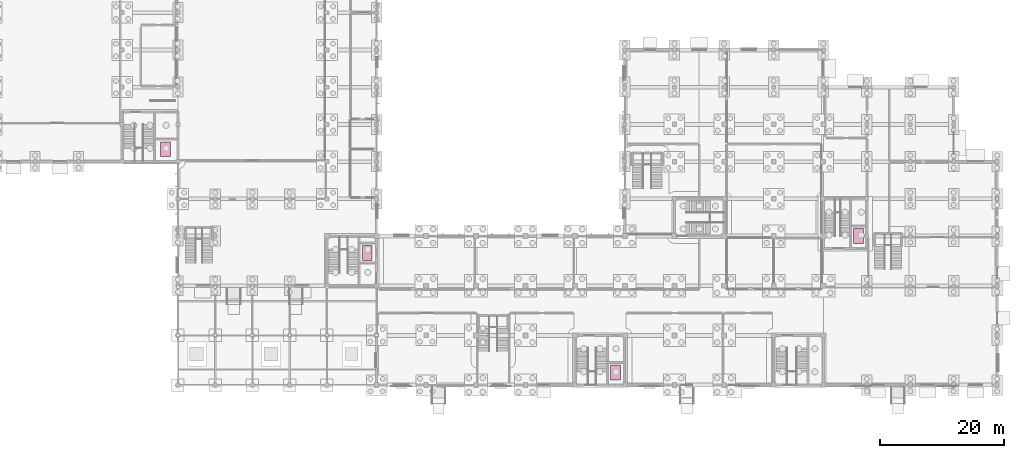
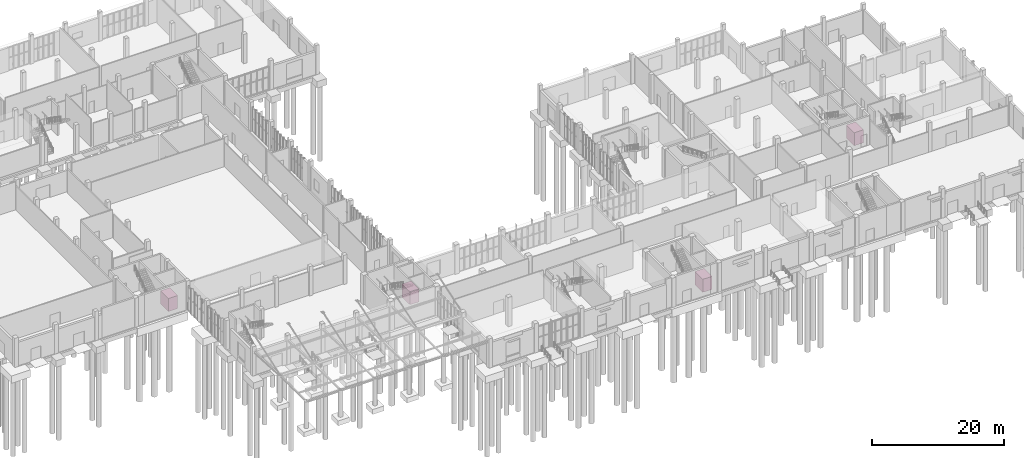
# One storey, part 69 of 69: 4 transport elements.
"""IFC4 building model written with IfcOpenShell, lengths in metres."""

from ifc_helpers import new_model, si_unit, direction, frame, origin, origin_2d, place, context, subcontext, project, spatial, rectangle, extrude, material, type_object, element, save


model = new_model("IFC4")

# Units and contexts
model_context = context("Model", 3, precision=1e-05, world=origin(), true_north=direction((0.0, 1.0)))
body_context = subcontext(model_context, "Body", "Model", "MODEL_VIEW")
ifc_project = project(units=[si_unit("LENGTHUNIT", "METRE"), si_unit("AREAUNIT", "SQUARE_METRE"), si_unit("VOLUMEUNIT", "CUBIC_METRE"), si_unit("PLANEANGLEUNIT", "RADIAN"), si_unit("MASSUNIT", "GRAM", prefix="KILO")], contexts=[model_context])

# Site, building, storey
site_placement = place(None, origin())
site = spatial("IfcSite", under=ifc_project, at=site_placement, CompositionType="ELEMENT")
building_placement = place(site_placement, origin())
building = spatial("IfcBuilding", under=site, at=building_placement, Name="Solvane Community Centre", CompositionType="ELEMENT")
storey_placement = place(building_placement, origin())
storey = spatial("IfcBuildingStorey", under=building, at=storey_placement, Name="L00", CompositionType="ELEMENT", Elevation=0.0)

# Transport elements
ifc_material = material(Name="Anodised bronze aluminium AW-6063 T6", Category="aluminium")
transport_element_type = type_object("IfcTransportElementType", Name="Stretcher Passenger Lift 1600x2400", PredefinedType="ELEVATOR", material=ifc_material)
for number, where, z_axis, x_axis, name in (
    (1, (66.5, 27.300048828125, 0.0), (0.0, 0.0, 1.0), (1.0, 0.0, 0.0), "Passenger Lift LF-01"),
    (2, (106.5, 8.0, 0.0), (0.0, 0.0, 1.0), (1.0, 0.0, 0.0), "Passenger Lift LF-02"),
    (3, (34.0, 44.0, 0.0), (0.0, 0.0, 1.0), (1.0, 0.0, 0.0), "Passenger Lift LF-03"),
    (4, (145.64990234375, 30.0, 0.0), (0.0, 0.0, 1.0), (1.0, 0.0, 0.0), "Passenger Lift LF-04"),
):
    element("IfcTransportElement", number, at=place(storey_placement, frame(where, z_axis=z_axis, x_axis=x_axis)), inside=storey, type_object=transport_element_type, Name=name, PredefinedType="ELEVATOR", context=body_context, shape_type="SweptSolid", body=[
        extrude(rectangle(XDim=1.60009765625, YDim=2.39990234375, at=origin_2d()), origin(), (0.0, 0.0, 1.0), 2.39990234375),
    ])

save(model, "model.ifc")
